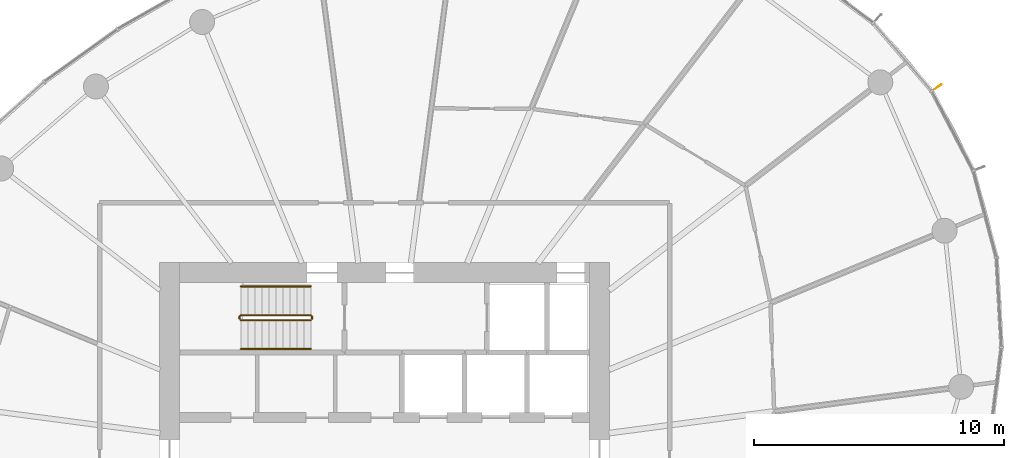
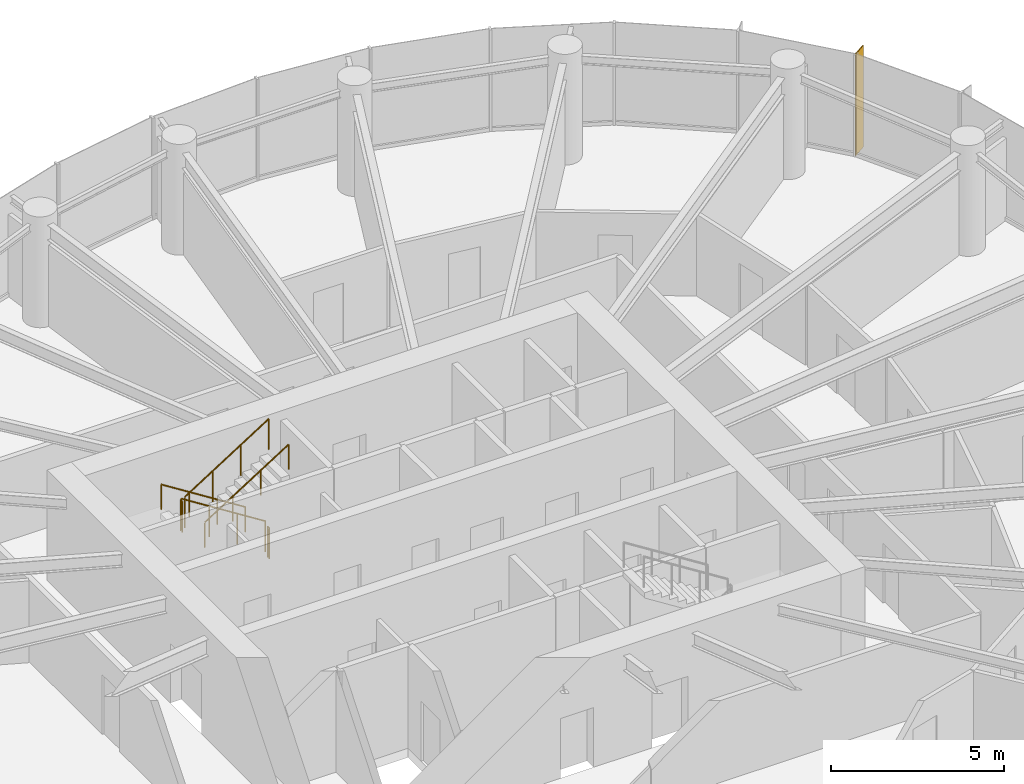
# One storey, part 13 of 14: 6 railings, 1 shading device.
"""IFC4 building model written with IfcOpenShell, lengths in metres."""

from ifc_helpers import new_model, si_unit, direction, frame, origin, origin_2d, place, context, subcontext, project, spatial, rectangle, circle, extrude, source, transform, mapped, material, material_profile, profile_set, type_object, element, save


model = new_model("IFC4")

# Units and contexts
model_context = context("Model", 3, precision=1e-05, world=origin(), true_north=direction((0.0, 1.0)))
body_context = subcontext(model_context, "Body", "Model", "MODEL_VIEW")
ifc_project = project(units=[si_unit("LENGTHUNIT", "METRE"), si_unit("AREAUNIT", "SQUARE_METRE"), si_unit("VOLUMEUNIT", "CUBIC_METRE"), si_unit("PLANEANGLEUNIT", "RADIAN"), si_unit("MASSUNIT", "GRAM", prefix="KILO")], contexts=[model_context])

# Site, building, storey
site_placement = place(None, origin())
site = spatial("IfcSite", under=ifc_project, at=site_placement, CompositionType="ELEMENT")
building_placement = place(site_placement, origin())
building = spatial("IfcBuilding", under=site, at=building_placement, Name="Spindrift Exchange Tower", CompositionType="ELEMENT")
storey_placement = place(building_placement, frame((0.0, 0.0, 144.800048828125)))
storey = spatial("IfcBuildingStorey", under=building, at=storey_placement, Name="L34", CompositionType="ELEMENT", Elevation=144.800048828125)

# Railings
ifc_material_1 = material(Name="Steel balustrade", Category="steel")
railing_type_1 = type_object("IfcRailingType", Name="RL-STAIR-GUARD", PredefinedType="GUARDRAIL", material=ifc_material_1)
railing_1_placement = place(storey_placement, frame((49.050048828125, 53.89990234375, 0.17724609375)))
element("IfcRailing", 1, at=railing_1_placement, inside=storey, type_object=railing_type_1, Name="L34 ST1 stair guard 1", PredefinedType="GUARDRAIL", context=body_context, shape_type="SweptSolid", body=[
    extrude(circle(Radius=0.02392578125, at=origin_2d()), frame((0.0, 0.0, 1.076171875), z_axis=(-0.844908973607, 0.0, 0.534910110503), x_axis=(0.0, -1.0, 0.0)), (0.0, 0.0, 1.0), 3.31396484375),
    extrude(circle(Radius=0.02099609375, at=origin_2d()), origin(), (0.0, 0.0, 1.0), 1.052001953125),
    extrude(circle(Radius=0.02099609375, at=origin_2d()), frame((-0.933349609375, 0.0, 0.5908203125)), (0.0, 0.0, 1.0), 1.052001953125),
    extrude(circle(Radius=0.02099609375, at=origin_2d()), frame((-1.86669921875, 0.0, 1.181884765625)), (0.0, 0.0, 1.0), 1.052001953125),
    extrude(circle(Radius=0.02099609375, at=origin_2d()), frame((-2.800048828125, 0.0, 1.772705078125)), (0.0, 0.0, 1.0), 1.052001953125),
])
railing_2_placement = place(storey_placement, frame((46.199951171875, 53.85009765625, 1.949951171875)))
element("IfcRailing", 2, at=railing_2_placement, inside=storey, type_object=railing_type_1, Name="L34 ST1 stair guard 2", PredefinedType="GUARDRAIL", context=body_context, shape_type="SweptSolid", body=[
    extrude(circle(Radius=0.02392578125, at=origin_2d()), frame((0.0, 0.0, 1.076171875), z_axis=(0.0, -1.0, 0.0), x_axis=(1.0, 0.0, 0.0)), (0.0, 0.0, 1.0), 0.10009765625),
    extrude(circle(Radius=0.02099609375, at=origin_2d()), origin(), (0.0, 0.0, 1.0), 1.052001953125),
    extrude(circle(Radius=0.02099609375, at=origin_2d()), frame((0.0, -0.10009765625, 0.0)), (0.0, 0.0, 1.0), 1.052001953125),
])
railing_3_placement = place(storey_placement, frame((46.25, 53.699951171875, 2.127197265625)))
element("IfcRailing", 3, at=railing_3_placement, inside=storey, type_object=railing_type_1, Name="L34 ST1 stair guard 3", PredefinedType="GUARDRAIL", context=body_context, shape_type="SweptSolid", body=[
    extrude(circle(Radius=0.02392578125, at=origin_2d()), frame((0.0, 0.0, 1.076171875), z_axis=(0.844908973607, 0.0, 0.534910110503), x_axis=(0.0, 1.0, 0.0)), (0.0, 0.0, 1.0), 3.31396484375),
    extrude(circle(Radius=0.02099609375, at=origin_2d()), origin(), (0.0, 0.0, 1.0), 1.052001953125),
    extrude(circle(Radius=0.02099609375, at=origin_2d()), frame((0.933349609375, 0.0, 0.5908203125)), (0.0, 0.0, 1.0), 1.052001953125),
    extrude(circle(Radius=0.02099609375, at=origin_2d()), frame((1.86669921875, 0.0, 1.181884765625)), (0.0, 0.0, 1.0), 1.052001953125),
    extrude(circle(Radius=0.02099609375, at=origin_2d()), frame((2.800048828125, 0.0, 1.772705078125)), (0.0, 0.0, 1.0), 1.052001953125),
])
railing_4_placement = place(storey_placement, frame((49.10009765625, 53.85009765625, 0.0)))
element("IfcRailing", 4, at=railing_4_placement, inside=storey, type_object=railing_type_1, Name="L34 ST1 stair guard 4", PredefinedType="GUARDRAIL", context=body_context, shape_type="SweptSolid", body=[
    extrude(circle(Radius=0.02392578125, at=origin_2d()), frame((0.0, 0.0, 1.076171875), z_axis=(0.0, -1.0, 0.0), x_axis=(1.0, 0.0, 0.0)), (0.0, 0.0, 1.0), 0.10009765625),
    extrude(circle(Radius=0.02099609375, at=origin_2d()), origin(), (0.0, 0.0, 1.0), 1.052001953125),
    extrude(circle(Radius=0.02099609375, at=origin_2d()), frame((0.0, -0.10009765625, 0.0)), (0.0, 0.0, 1.0), 1.052001953125),
])
ifc_material_2 = material(Name="Steel tubular handrail", Category="steel")
railing_type_2 = type_object("IfcRailingType", Name="RL-STAIR-HAND", PredefinedType="HANDRAIL", material=ifc_material_2)
railing_5_placement = place(storey_placement, frame((49.050048828125, 55.050048828125, 0.17724609375)))
element("IfcRailing", 5, at=railing_5_placement, inside=storey, type_object=railing_type_2, Name="L34 ST1 stair handrail 1", PredefinedType="HANDRAIL", context=body_context, shape_type="SweptSolid", body=[
    extrude(circle(Radius=0.02392578125, at=origin_2d()), frame((0.0, 0.0, 0.8759765625), z_axis=(-0.844908973607, 0.0, 0.534910110503), x_axis=(0.0, -1.0, 0.0)), (0.0, 0.0, 1.0), 3.31396484375),
    extrude(circle(Radius=0.02099609375, at=origin_2d()), origin(), (0.0, 0.0, 1.0), 0.851806640625),
    extrude(circle(Radius=0.02099609375, at=origin_2d()), frame((-0.933349609375, 0.0, 0.5908203125)), (0.0, 0.0, 1.0), 0.851806640625),
    extrude(circle(Radius=0.02099609375, at=origin_2d()), frame((-1.86669921875, 0.0, 1.181884765625)), (0.0, 0.0, 1.0), 0.851806640625),
    extrude(circle(Radius=0.02099609375, at=origin_2d()), frame((-2.800048828125, 0.0, 1.772705078125)), (0.0, 0.0, 1.0), 0.851806640625),
])
railing_6_placement = place(storey_placement, frame((46.25, 52.550048828125, 2.127197265625)))
element("IfcRailing", 6, at=railing_6_placement, inside=storey, type_object=railing_type_2, Name="L34 ST1 stair handrail 2", PredefinedType="HANDRAIL", context=body_context, shape_type="SweptSolid", body=[
    extrude(circle(Radius=0.02392578125, at=origin_2d()), frame((0.0, 0.0, 0.8759765625), z_axis=(0.844908973607, 0.0, 0.534910110503), x_axis=(0.0, 1.0, 0.0)), (0.0, 0.0, 1.0), 3.31396484375),
    extrude(circle(Radius=0.02099609375, at=origin_2d()), origin(), (0.0, 0.0, 1.0), 0.851806640625),
    extrude(circle(Radius=0.02099609375, at=origin_2d()), frame((0.933349609375, 0.0, 0.5908203125)), (0.0, 0.0, 1.0), 0.851806640625),
    extrude(circle(Radius=0.02099609375, at=origin_2d()), frame((1.86669921875, 0.0, 1.181884765625)), (0.0, 0.0, 1.0), 0.851806640625),
    extrude(circle(Radius=0.02099609375, at=origin_2d()), frame((2.800048828125, 0.0, 1.772705078125)), (0.0, 0.0, 1.0), 0.851806640625),
])

# Shading device
ifc_material_3 = material(Name="Bronze anodised aluminium", Category="aluminium")
ifc_material_profile = material_profile(ifc_material_3, rectangle(XDim=0.030029296875, YDim=0.5, at=origin_2d()), Name="WIND FIN 30X500")
ifc_profile_set = profile_set([ifc_material_profile], Name="Bronze anodised aluminium")
shading_device_type = type_object("IfcShadingDeviceType", Name="WIND FIN 30X500", PredefinedType="USERDEFINED", material=ifc_profile_set)
shared_shape = source(origin(), body_context, "Body", "SweptSolid", [
    extrude(rectangle(XDim=0.030029296875, YDim=0.5, at=origin_2d()), origin(), (0.0, 0.0, 1.0), 3.579833984375),
])
shading_device_placement = place(storey_placement, frame((74.072509765625, 62.990234375, 0.0), z_axis=(0.0, 0.0, 1.0), x_axis=(-0.561822071256, 0.827258097724, 0.0)))
element("IfcShadingDevice", 7, at=shading_device_placement, inside=storey, type_object=shading_device_type, Name="L34 wind fin 2", ObjectType="FIN", PredefinedType="USERDEFINED", context=body_context, shape_type="MappedRepresentation", body=[
    mapped(shared_shape, transform((0.0, 0.0, 0.0), scale=1.0)),
])

save(model, "model.ifc")
